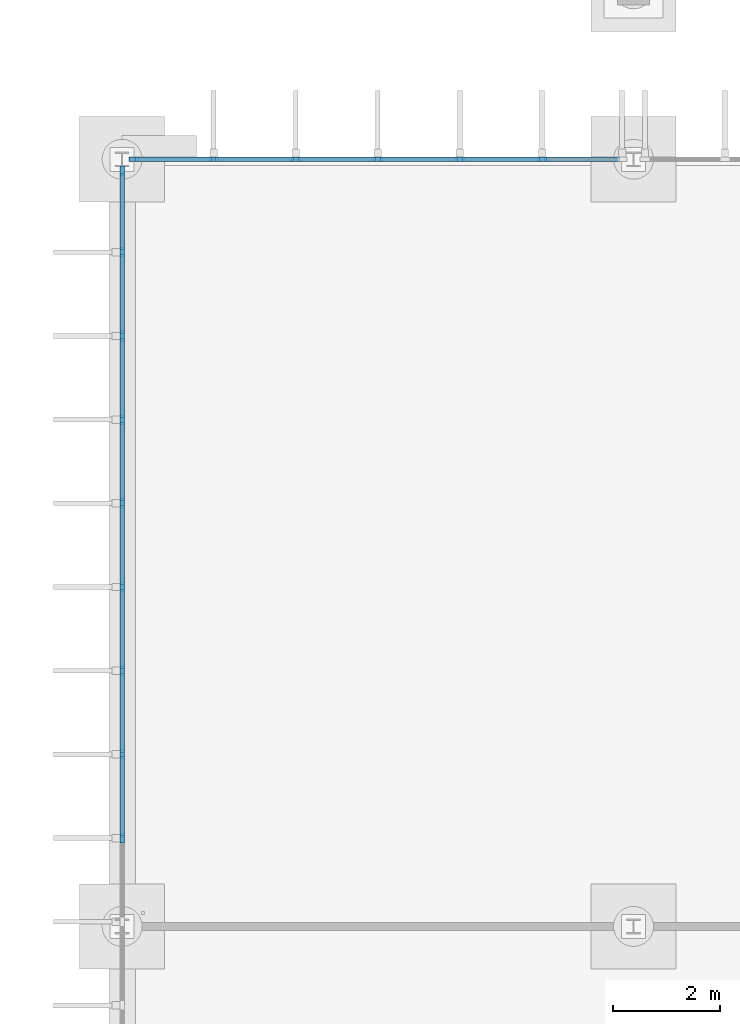
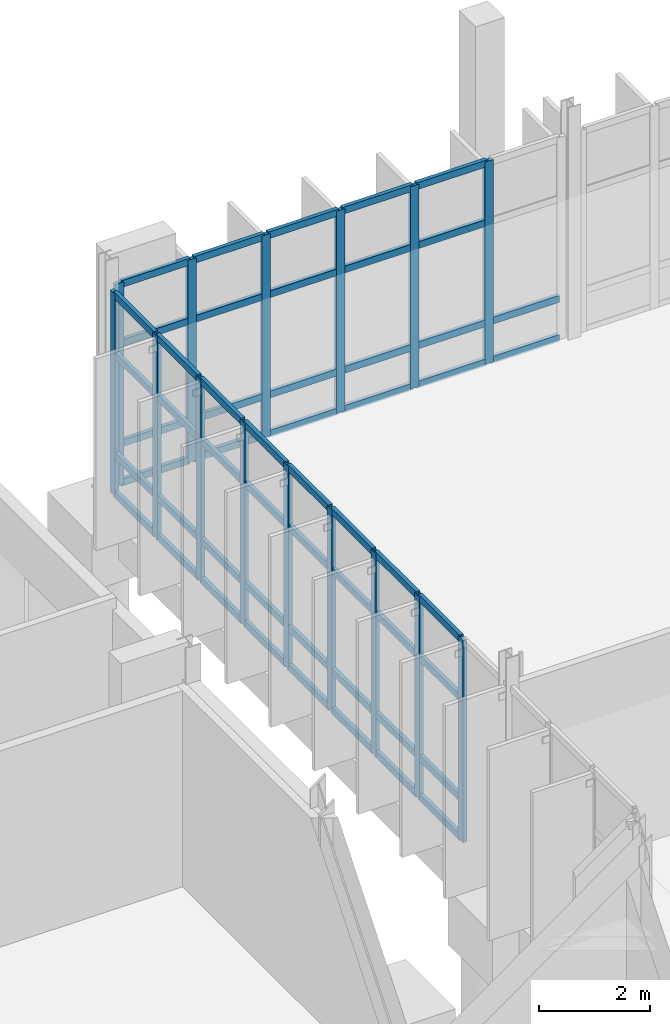
# One storey, part 39 of 111: 69 members, 2 elements without a shape of their own.
"""IFC4 building model written with IfcOpenShell, lengths in metres."""

from ifc_helpers import new_model, si_unit, direction, frame, origin, origin_2d, place, context, subcontext, project, spatial, rectangle, extrude, material, material_profile, profile_set, type_object, element, aggregate, save


model = new_model("IFC4")

# Units and contexts
model_context = context("Model", 3, precision=1e-05, world=origin(), true_north=direction((0.0, 1.0)))
body_context = subcontext(model_context, "Body", "Model", "MODEL_VIEW")
ifc_project = project(units=[si_unit("LENGTHUNIT", "METRE"), si_unit("AREAUNIT", "SQUARE_METRE"), si_unit("VOLUMEUNIT", "CUBIC_METRE"), si_unit("PLANEANGLEUNIT", "RADIAN"), si_unit("MASSUNIT", "GRAM", prefix="KILO")], contexts=[model_context])

# Site, building, storey
site_placement = place(None, origin())
site = spatial("IfcSite", under=ifc_project, at=site_placement, CompositionType="ELEMENT")
building_placement = place(site_placement, origin())
building = spatial("IfcBuilding", under=site, at=building_placement, Name="Dunescarp Central Library", CompositionType="ELEMENT")
storey_placement = place(building_placement, origin())
storey = spatial("IfcBuildingStorey", under=building, at=storey_placement, Name="L00", CompositionType="ELEMENT", Elevation=0.0)

# Curtain wall, members
ifc_material = material(Name="Marine-grade anodised aluminium 6063-T6", Category="aluminium")
curtain_wall_type = type_object("IfcCurtainWallType", Name="ARC-CW-STICK", PredefinedType="NOTDEFINED", material=ifc_material)
curtain_wall_1_placement = place(storey_placement, origin())
curtain_wall_1 = element("IfcCurtainWall", 1, at=curtain_wall_1_placement, inside=storey, type_object=curtain_wall_type, Name="L00 curtain wall CW-V5-149", PredefinedType="NOTDEFINED")
ifc_material_profile_1 = material_profile(ifc_material, rectangle(XDim=0.080078125, YDim=0.179931640625, at=origin_2d()), Name="AL 80x180")
ifc_profile_set_1 = profile_set([ifc_material_profile_1], Name="Marine-grade anodised aluminium 6063-T6")
member_type_1 = type_object("IfcMemberType", Name="ARC-CWM-180", PredefinedType="MULLION", material=ifc_profile_set_1)
member_1_placement = place(storey_placement, frame((129.81494140625, 44.800048828125, 0.0), z_axis=(0.0, 0.0, 1.0), x_axis=(0.0, 1.0, 0.0)))
member_1 = element("IfcMember", 2, at=member_1_placement, type_object=member_type_1, Name="CW-V5-149 mullion 1", PredefinedType="MULLION", context=body_context, shape_type="SweptSolid", body=[
    extrude(rectangle(XDim=0.080078125, YDim=0.179931640625, at=origin_2d()), origin(), (0.0, 0.0, 1.0), 4.44189453125),
])
member_2_placement = place(storey_placement, frame((131.316650390625, 44.800048828125, 0.0), z_axis=(0.0, 0.0, 1.0), x_axis=(0.0, 1.0, 0.0)))
member_2 = element("IfcMember", 3, at=member_2_placement, type_object=member_type_1, Name="CW-V5-149 mullion 2", PredefinedType="MULLION", context=body_context, shape_type="SweptSolid", body=[
    extrude(rectangle(XDim=0.080078125, YDim=0.179931640625, at=origin_2d()), origin(), (0.0, 0.0, 1.0), 4.44189453125),
])
member_3_placement = place(storey_placement, frame((132.8583984375, 44.800048828125, 0.0), z_axis=(0.0, 0.0, 1.0), x_axis=(0.0, 1.0, 0.0)))
member_3 = element("IfcMember", 4, at=member_3_placement, type_object=member_type_1, Name="CW-V5-149 mullion 3", PredefinedType="MULLION", context=body_context, shape_type="SweptSolid", body=[
    extrude(rectangle(XDim=0.080078125, YDim=0.179931640625, at=origin_2d()), origin(), (0.0, 0.0, 1.0), 4.44189453125),
])
member_4_placement = place(storey_placement, frame((134.39990234375, 44.800048828125, 0.0), z_axis=(0.0, 0.0, 1.0), x_axis=(0.0, 1.0, 0.0)))
member_4 = element("IfcMember", 5, at=member_4_placement, type_object=member_type_1, Name="CW-V5-149 mullion 4", PredefinedType="MULLION", context=body_context, shape_type="SweptSolid", body=[
    extrude(rectangle(XDim=0.080078125, YDim=0.179931640625, at=origin_2d()), origin(), (0.0, 0.0, 1.0), 4.44189453125),
])
member_5_placement = place(storey_placement, frame((135.941650390625, 44.800048828125, 0.0), z_axis=(0.0, 0.0, 1.0), x_axis=(0.0, 1.0, 0.0)))
member_5 = element("IfcMember", 6, at=member_5_placement, type_object=member_type_1, Name="CW-V5-149 mullion 5", PredefinedType="MULLION", context=body_context, shape_type="SweptSolid", body=[
    extrude(rectangle(XDim=0.080078125, YDim=0.179931640625, at=origin_2d()), origin(), (0.0, 0.0, 1.0), 4.44189453125),
])
member_6_placement = place(storey_placement, frame((137.4833984375, 44.800048828125, 0.0), z_axis=(0.0, 0.0, 1.0), x_axis=(0.0, 1.0, 0.0)))
member_6 = element("IfcMember", 7, at=member_6_placement, type_object=member_type_1, Name="CW-V5-149 mullion 6", PredefinedType="MULLION", context=body_context, shape_type="SweptSolid", body=[
    extrude(rectangle(XDim=0.080078125, YDim=0.179931640625, at=origin_2d()), origin(), (0.0, 0.0, 1.0), 4.44189453125),
])

curtain_wall_2_placement = place(storey_placement, origin())
curtain_wall_2 = element("IfcCurtainWall", 8, at=curtain_wall_2_placement, inside=storey, type_object=curtain_wall_type, Name="L00 curtain wall CW-V5-152", PredefinedType="NOTDEFINED")
member_7_placement = place(storey_placement, frame((129.60009765625, 32.058349609375, 0.0), z_axis=(0.0, 0.0, 1.0), x_axis=(-1.0, 0.0, 0.0)))
member_7 = element("IfcMember", 9, at=member_7_placement, type_object=member_type_1, Name="CW-V5-152 mullion 5", PredefinedType="MULLION", context=body_context, shape_type="SweptSolid", body=[
    extrude(rectangle(XDim=0.080078125, YDim=0.179931640625, at=origin_2d()), origin(), (0.0, 0.0, 1.0), 4.44189453125),
])
member_8_placement = place(storey_placement, frame((129.60009765625, 33.629150390625, 0.0), z_axis=(0.0, 0.0, 1.0), x_axis=(-1.0, 0.0, 0.0)))
member_8 = element("IfcMember", 10, at=member_8_placement, type_object=member_type_1, Name="CW-V5-152 mullion 6", PredefinedType="MULLION", context=body_context, shape_type="SweptSolid", body=[
    extrude(rectangle(XDim=0.080078125, YDim=0.179931640625, at=origin_2d()), origin(), (0.0, 0.0, 1.0), 4.44189453125),
])
member_9_placement = place(storey_placement, frame((129.60009765625, 35.199951171875, 0.0), z_axis=(0.0, 0.0, 1.0), x_axis=(-1.0, 0.0, 0.0)))
member_9 = element("IfcMember", 11, at=member_9_placement, type_object=member_type_1, Name="CW-V5-152 mullion 7", PredefinedType="MULLION", context=body_context, shape_type="SweptSolid", body=[
    extrude(rectangle(XDim=0.080078125, YDim=0.179931640625, at=origin_2d()), origin(), (0.0, 0.0, 1.0), 4.44189453125),
])
member_10_placement = place(storey_placement, frame((129.60009765625, 36.770751953125, 0.0), z_axis=(0.0, 0.0, 1.0), x_axis=(-1.0, 0.0, 0.0)))
member_10 = element("IfcMember", 12, at=member_10_placement, type_object=member_type_1, Name="CW-V5-152 mullion 8", PredefinedType="MULLION", context=body_context, shape_type="SweptSolid", body=[
    extrude(rectangle(XDim=0.080078125, YDim=0.179931640625, at=origin_2d()), origin(), (0.0, 0.0, 1.0), 4.44189453125),
])
member_11_placement = place(storey_placement, frame((129.60009765625, 38.341552734375, 0.0), z_axis=(0.0, 0.0, 1.0), x_axis=(-1.0, 0.0, 0.0)))
member_11 = element("IfcMember", 13, at=member_11_placement, type_object=member_type_1, Name="CW-V5-152 mullion 9", PredefinedType="MULLION", context=body_context, shape_type="SweptSolid", body=[
    extrude(rectangle(XDim=0.080078125, YDim=0.179931640625, at=origin_2d()), origin(), (0.0, 0.0, 1.0), 4.44189453125),
])
member_12_placement = place(storey_placement, frame((129.60009765625, 39.91259765625, 0.0), z_axis=(0.0, 0.0, 1.0), x_axis=(-1.0, 0.0, 0.0)))
member_12 = element("IfcMember", 14, at=member_12_placement, type_object=member_type_1, Name="CW-V5-152 mullion 10", PredefinedType="MULLION", context=body_context, shape_type="SweptSolid", body=[
    extrude(rectangle(XDim=0.080078125, YDim=0.179931640625, at=origin_2d()), origin(), (0.0, 0.0, 1.0), 4.44189453125),
])
member_13_placement = place(storey_placement, frame((129.60009765625, 41.4833984375, 0.0), z_axis=(0.0, 0.0, 1.0), x_axis=(-1.0, 0.0, 0.0)))
member_13 = element("IfcMember", 15, at=member_13_placement, type_object=member_type_1, Name="CW-V5-152 mullion 11", PredefinedType="MULLION", context=body_context, shape_type="SweptSolid", body=[
    extrude(rectangle(XDim=0.080078125, YDim=0.179931640625, at=origin_2d()), origin(), (0.0, 0.0, 1.0), 4.44189453125),
])
member_14_placement = place(storey_placement, frame((129.60009765625, 43.05419921875, 0.0), z_axis=(0.0, 0.0, 1.0), x_axis=(-1.0, 0.0, 0.0)))
member_14 = element("IfcMember", 16, at=member_14_placement, type_object=member_type_1, Name="CW-V5-152 mullion 12", PredefinedType="MULLION", context=body_context, shape_type="SweptSolid", body=[
    extrude(rectangle(XDim=0.080078125, YDim=0.179931640625, at=origin_2d()), origin(), (0.0, 0.0, 1.0), 4.44189453125),
])
member_15_placement = place(storey_placement, frame((129.60009765625, 44.5849609375, 0.0), z_axis=(0.0, 0.0, 1.0), x_axis=(-1.0, 0.0, 0.0)))
member_15 = element("IfcMember", 17, at=member_15_placement, type_object=member_type_1, Name="CW-V5-152 mullion 13", PredefinedType="MULLION", context=body_context, shape_type="SweptSolid", body=[
    extrude(rectangle(XDim=0.080078125, YDim=0.179931640625, at=origin_2d()), origin(), (0.0, 0.0, 1.0), 4.44189453125),
])

# Member
ifc_material_profile_2 = material_profile(ifc_material, rectangle(XDim=0.080078125, YDim=0.14990234375, at=origin_2d()), Name="AL 80x150")
ifc_profile_set_2 = profile_set([ifc_material_profile_2], Name="Marine-grade anodised aluminium 6063-T6")
member_type_2 = type_object("IfcMemberType", Name="ARC-CWT-150", PredefinedType="USERDEFINED", material=ifc_profile_set_2)
member_16_placement = place(storey_placement, frame((129.85498046875, 44.800048828125, 0.0400390625), z_axis=(1.0, 0.0, 0.0), x_axis=(0.0, 1.0, 0.0)))
member_16 = element("IfcMember", 18, at=member_16_placement, type_object=member_type_2, Name="CW-V5-149 transom 1.1", ObjectType="TRANSOM", PredefinedType="USERDEFINED", context=body_context, shape_type="SweptSolid", body=[
    extrude(rectangle(XDim=0.080078125, YDim=0.14990234375, at=origin_2d()), origin(), (0.0, 0.0, 1.0), 1.421630859375),
])

member_17_placement = place(storey_placement, frame((129.85498046875, 44.800048828125, 0.89990234375), z_axis=(1.0, 0.0, 0.0), x_axis=(0.0, 1.0, 0.0)))
member_17 = element("IfcMember", 19, at=member_17_placement, type_object=member_type_2, Name="CW-V5-149 transom 1.2", ObjectType="TRANSOM", PredefinedType="USERDEFINED", context=body_context, shape_type="SweptSolid", body=[
    extrude(rectangle(XDim=0.080078125, YDim=0.14990234375, at=origin_2d()), origin(), (0.0, 0.0, 1.0), 1.421630859375),
])

member_18_placement = place(storey_placement, frame((129.85498046875, 44.800048828125, 3.10009765625), z_axis=(1.0, 0.0, 0.0), x_axis=(0.0, 1.0, 0.0)))
member_18 = element("IfcMember", 20, at=member_18_placement, type_object=member_type_2, Name="CW-V5-149 transom 1.3", ObjectType="TRANSOM", PredefinedType="USERDEFINED", context=body_context, shape_type="SweptSolid", body=[
    extrude(rectangle(XDim=0.080078125, YDim=0.14990234375, at=origin_2d()), origin(), (0.0, 0.0, 1.0), 1.421630859375),
])

member_19_placement = place(storey_placement, frame((129.85498046875, 44.800048828125, 4.402099609375), z_axis=(1.0, 0.0, 0.0), x_axis=(0.0, 1.0, 0.0)))
member_19 = element("IfcMember", 21, at=member_19_placement, type_object=member_type_2, Name="CW-V5-149 transom 1.4", ObjectType="TRANSOM", PredefinedType="USERDEFINED", context=body_context, shape_type="SweptSolid", body=[
    extrude(rectangle(XDim=0.080078125, YDim=0.14990234375, at=origin_2d()), origin(), (0.0, 0.0, 1.0), 1.421630859375),
])

member_20_placement = place(storey_placement, frame((131.356689453125, 44.800048828125, 0.0400390625), z_axis=(1.0, 0.0, 0.0), x_axis=(0.0, 1.0, 0.0)))
member_20 = element("IfcMember", 22, at=member_20_placement, type_object=member_type_2, Name="CW-V5-149 transom 2.1", ObjectType="TRANSOM", PredefinedType="USERDEFINED", context=body_context, shape_type="SweptSolid", body=[
    extrude(rectangle(XDim=0.080078125, YDim=0.14990234375, at=origin_2d()), origin(), (0.0, 0.0, 1.0), 1.461669921875),
])

member_21_placement = place(storey_placement, frame((131.356689453125, 44.800048828125, 0.89990234375), z_axis=(1.0, 0.0, 0.0), x_axis=(0.0, 1.0, 0.0)))
member_21 = element("IfcMember", 23, at=member_21_placement, type_object=member_type_2, Name="CW-V5-149 transom 2.2", ObjectType="TRANSOM", PredefinedType="USERDEFINED", context=body_context, shape_type="SweptSolid", body=[
    extrude(rectangle(XDim=0.080078125, YDim=0.14990234375, at=origin_2d()), origin(), (0.0, 0.0, 1.0), 1.461669921875),
])

member_22_placement = place(storey_placement, frame((131.356689453125, 44.800048828125, 3.10009765625), z_axis=(1.0, 0.0, 0.0), x_axis=(0.0, 1.0, 0.0)))
member_22 = element("IfcMember", 24, at=member_22_placement, type_object=member_type_2, Name="CW-V5-149 transom 2.3", ObjectType="TRANSOM", PredefinedType="USERDEFINED", context=body_context, shape_type="SweptSolid", body=[
    extrude(rectangle(XDim=0.080078125, YDim=0.14990234375, at=origin_2d()), origin(), (0.0, 0.0, 1.0), 1.461669921875),
])

member_23_placement = place(storey_placement, frame((131.356689453125, 44.800048828125, 4.402099609375), z_axis=(1.0, 0.0, 0.0), x_axis=(0.0, 1.0, 0.0)))
member_23 = element("IfcMember", 25, at=member_23_placement, type_object=member_type_2, Name="CW-V5-149 transom 2.4", ObjectType="TRANSOM", PredefinedType="USERDEFINED", context=body_context, shape_type="SweptSolid", body=[
    extrude(rectangle(XDim=0.080078125, YDim=0.14990234375, at=origin_2d()), origin(), (0.0, 0.0, 1.0), 1.461669921875),
])

member_24_placement = place(storey_placement, frame((132.8984375, 44.800048828125, 0.0400390625), z_axis=(1.0, 0.0, 0.0), x_axis=(0.0, 1.0, 0.0)))
member_24 = element("IfcMember", 26, at=member_24_placement, type_object=member_type_2, Name="CW-V5-149 transom 3.1", ObjectType="TRANSOM", PredefinedType="USERDEFINED", context=body_context, shape_type="SweptSolid", body=[
    extrude(rectangle(XDim=0.080078125, YDim=0.14990234375, at=origin_2d()), origin(), (0.0, 0.0, 1.0), 1.461669921875),
])

member_25_placement = place(storey_placement, frame((132.8984375, 44.800048828125, 0.89990234375), z_axis=(1.0, 0.0, 0.0), x_axis=(0.0, 1.0, 0.0)))
member_25 = element("IfcMember", 27, at=member_25_placement, type_object=member_type_2, Name="CW-V5-149 transom 3.2", ObjectType="TRANSOM", PredefinedType="USERDEFINED", context=body_context, shape_type="SweptSolid", body=[
    extrude(rectangle(XDim=0.080078125, YDim=0.14990234375, at=origin_2d()), origin(), (0.0, 0.0, 1.0), 1.461669921875),
])

member_26_placement = place(storey_placement, frame((132.8984375, 44.800048828125, 3.10009765625), z_axis=(1.0, 0.0, 0.0), x_axis=(0.0, 1.0, 0.0)))
member_26 = element("IfcMember", 28, at=member_26_placement, type_object=member_type_2, Name="CW-V5-149 transom 3.3", ObjectType="TRANSOM", PredefinedType="USERDEFINED", context=body_context, shape_type="SweptSolid", body=[
    extrude(rectangle(XDim=0.080078125, YDim=0.14990234375, at=origin_2d()), origin(), (0.0, 0.0, 1.0), 1.461669921875),
])

member_27_placement = place(storey_placement, frame((132.8984375, 44.800048828125, 4.402099609375), z_axis=(1.0, 0.0, 0.0), x_axis=(0.0, 1.0, 0.0)))
member_27 = element("IfcMember", 29, at=member_27_placement, type_object=member_type_2, Name="CW-V5-149 transom 3.4", ObjectType="TRANSOM", PredefinedType="USERDEFINED", context=body_context, shape_type="SweptSolid", body=[
    extrude(rectangle(XDim=0.080078125, YDim=0.14990234375, at=origin_2d()), origin(), (0.0, 0.0, 1.0), 1.461669921875),
])

member_28_placement = place(storey_placement, frame((134.43994140625, 44.800048828125, 0.0400390625), z_axis=(1.0, 0.0, 0.0), x_axis=(0.0, 1.0, 0.0)))
member_28 = element("IfcMember", 30, at=member_28_placement, type_object=member_type_2, Name="CW-V5-149 transom 4.1", ObjectType="TRANSOM", PredefinedType="USERDEFINED", context=body_context, shape_type="SweptSolid", body=[
    extrude(rectangle(XDim=0.080078125, YDim=0.14990234375, at=origin_2d()), origin(), (0.0, 0.0, 1.0), 1.461669921875),
])

member_29_placement = place(storey_placement, frame((134.43994140625, 44.800048828125, 0.89990234375), z_axis=(1.0, 0.0, 0.0), x_axis=(0.0, 1.0, 0.0)))
member_29 = element("IfcMember", 31, at=member_29_placement, type_object=member_type_2, Name="CW-V5-149 transom 4.2", ObjectType="TRANSOM", PredefinedType="USERDEFINED", context=body_context, shape_type="SweptSolid", body=[
    extrude(rectangle(XDim=0.080078125, YDim=0.14990234375, at=origin_2d()), origin(), (0.0, 0.0, 1.0), 1.461669921875),
])

member_30_placement = place(storey_placement, frame((134.43994140625, 44.800048828125, 3.10009765625), z_axis=(1.0, 0.0, 0.0), x_axis=(0.0, 1.0, 0.0)))
member_30 = element("IfcMember", 32, at=member_30_placement, type_object=member_type_2, Name="CW-V5-149 transom 4.3", ObjectType="TRANSOM", PredefinedType="USERDEFINED", context=body_context, shape_type="SweptSolid", body=[
    extrude(rectangle(XDim=0.080078125, YDim=0.14990234375, at=origin_2d()), origin(), (0.0, 0.0, 1.0), 1.461669921875),
])

member_31_placement = place(storey_placement, frame((134.43994140625, 44.800048828125, 4.402099609375), z_axis=(1.0, 0.0, 0.0), x_axis=(0.0, 1.0, 0.0)))
member_31 = element("IfcMember", 33, at=member_31_placement, type_object=member_type_2, Name="CW-V5-149 transom 4.4", ObjectType="TRANSOM", PredefinedType="USERDEFINED", context=body_context, shape_type="SweptSolid", body=[
    extrude(rectangle(XDim=0.080078125, YDim=0.14990234375, at=origin_2d()), origin(), (0.0, 0.0, 1.0), 1.461669921875),
])

member_32_placement = place(storey_placement, frame((135.981689453125, 44.800048828125, 0.0400390625), z_axis=(1.0, 0.0, 0.0), x_axis=(0.0, 1.0, 0.0)))
member_32 = element("IfcMember", 34, at=member_32_placement, type_object=member_type_2, Name="CW-V5-149 transom 5.1", ObjectType="TRANSOM", PredefinedType="USERDEFINED", context=body_context, shape_type="SweptSolid", body=[
    extrude(rectangle(XDim=0.080078125, YDim=0.14990234375, at=origin_2d()), origin(), (0.0, 0.0, 1.0), 1.461669921875),
])

member_33_placement = place(storey_placement, frame((135.981689453125, 44.800048828125, 0.89990234375), z_axis=(1.0, 0.0, 0.0), x_axis=(0.0, 1.0, 0.0)))
member_33 = element("IfcMember", 35, at=member_33_placement, type_object=member_type_2, Name="CW-V5-149 transom 5.2", ObjectType="TRANSOM", PredefinedType="USERDEFINED", context=body_context, shape_type="SweptSolid", body=[
    extrude(rectangle(XDim=0.080078125, YDim=0.14990234375, at=origin_2d()), origin(), (0.0, 0.0, 1.0), 1.461669921875),
])

member_34_placement = place(storey_placement, frame((135.981689453125, 44.800048828125, 3.10009765625), z_axis=(1.0, 0.0, 0.0), x_axis=(0.0, 1.0, 0.0)))
member_34 = element("IfcMember", 36, at=member_34_placement, type_object=member_type_2, Name="CW-V5-149 transom 5.3", ObjectType="TRANSOM", PredefinedType="USERDEFINED", context=body_context, shape_type="SweptSolid", body=[
    extrude(rectangle(XDim=0.080078125, YDim=0.14990234375, at=origin_2d()), origin(), (0.0, 0.0, 1.0), 1.461669921875),
])

member_35_placement = place(storey_placement, frame((135.981689453125, 44.800048828125, 4.402099609375), z_axis=(1.0, 0.0, 0.0), x_axis=(0.0, 1.0, 0.0)))
member_35 = element("IfcMember", 37, at=member_35_placement, type_object=member_type_2, Name="CW-V5-149 transom 5.4", ObjectType="TRANSOM", PredefinedType="USERDEFINED", context=body_context, shape_type="SweptSolid", body=[
    extrude(rectangle(XDim=0.080078125, YDim=0.14990234375, at=origin_2d()), origin(), (0.0, 0.0, 1.0), 1.461669921875),
])

member_36_placement = place(storey_placement, frame((137.5234375, 44.800048828125, 0.0400390625), z_axis=(1.0, 0.0, 0.0), x_axis=(0.0, 1.0, 0.0)))
member_36 = element("IfcMember", 38, at=member_36_placement, type_object=member_type_2, Name="CW-V5-149 transom 6.1", ObjectType="TRANSOM", PredefinedType="USERDEFINED", context=body_context, shape_type="SweptSolid", body=[
    extrude(rectangle(XDim=0.080078125, YDim=0.14990234375, at=origin_2d()), origin(), (0.0, 0.0, 1.0), 1.421630859375),
])

member_37_placement = place(storey_placement, frame((137.5234375, 44.800048828125, 0.89990234375), z_axis=(1.0, 0.0, 0.0), x_axis=(0.0, 1.0, 0.0)))
member_37 = element("IfcMember", 39, at=member_37_placement, type_object=member_type_2, Name="CW-V5-149 transom 6.2", ObjectType="TRANSOM", PredefinedType="USERDEFINED", context=body_context, shape_type="SweptSolid", body=[
    extrude(rectangle(XDim=0.080078125, YDim=0.14990234375, at=origin_2d()), origin(), (0.0, 0.0, 1.0), 1.421630859375),
])

aggregate(curtain_wall_1, [member_1, member_2, member_3, member_4, member_5, member_6, member_16, member_17, member_18, member_19, member_20, member_21, member_22, member_23, member_24, member_25, member_26, member_27, member_28, member_29, member_30, member_31, member_32, member_33, member_34, member_35, member_36, member_37])

member_38_placement = place(storey_placement, frame((129.60009765625, 32.098388671875, 0.0400390625), z_axis=(0.0, 1.0, 0.0), x_axis=(-1.0, 0.0, 0.0)))
member_38 = element("IfcMember", 40, at=member_38_placement, type_object=member_type_2, Name="CW-V5-152 transom 5.1", ObjectType="TRANSOM", PredefinedType="USERDEFINED", context=body_context, shape_type="SweptSolid", body=[
    extrude(rectangle(XDim=0.080078125, YDim=0.14990234375, at=origin_2d()), origin(), (0.0, 0.0, 1.0), 1.49072265625),
])

member_39_placement = place(storey_placement, frame((129.60009765625, 32.098388671875, 0.89990234375), z_axis=(0.0, 1.0, 0.0), x_axis=(-1.0, 0.0, 0.0)))
member_39 = element("IfcMember", 41, at=member_39_placement, type_object=member_type_2, Name="CW-V5-152 transom 5.2", ObjectType="TRANSOM", PredefinedType="USERDEFINED", context=body_context, shape_type="SweptSolid", body=[
    extrude(rectangle(XDim=0.080078125, YDim=0.14990234375, at=origin_2d()), origin(), (0.0, 0.0, 1.0), 1.49072265625),
])

member_40_placement = place(storey_placement, frame((129.60009765625, 32.098388671875, 3.10009765625), z_axis=(0.0, 1.0, 0.0), x_axis=(-1.0, 0.0, 0.0)))
member_40 = element("IfcMember", 42, at=member_40_placement, type_object=member_type_2, Name="CW-V5-152 transom 5.3", ObjectType="TRANSOM", PredefinedType="USERDEFINED", context=body_context, shape_type="SweptSolid", body=[
    extrude(rectangle(XDim=0.080078125, YDim=0.14990234375, at=origin_2d()), origin(), (0.0, 0.0, 1.0), 1.49072265625),
])

member_41_placement = place(storey_placement, frame((129.60009765625, 32.098388671875, 4.402099609375), z_axis=(0.0, 1.0, 0.0), x_axis=(-1.0, 0.0, 0.0)))
member_41 = element("IfcMember", 43, at=member_41_placement, type_object=member_type_2, Name="CW-V5-152 transom 5.4", ObjectType="TRANSOM", PredefinedType="USERDEFINED", context=body_context, shape_type="SweptSolid", body=[
    extrude(rectangle(XDim=0.080078125, YDim=0.14990234375, at=origin_2d()), origin(), (0.0, 0.0, 1.0), 1.49072265625),
])

member_42_placement = place(storey_placement, frame((129.60009765625, 33.669189453125, 0.0400390625), z_axis=(0.0, 1.0, 0.0), x_axis=(-1.0, 0.0, 0.0)))
member_42 = element("IfcMember", 44, at=member_42_placement, type_object=member_type_2, Name="CW-V5-152 transom 6.1", ObjectType="TRANSOM", PredefinedType="USERDEFINED", context=body_context, shape_type="SweptSolid", body=[
    extrude(rectangle(XDim=0.080078125, YDim=0.14990234375, at=origin_2d()), origin(), (0.0, 0.0, 1.0), 1.49072265625),
])

member_43_placement = place(storey_placement, frame((129.60009765625, 33.669189453125, 0.89990234375), z_axis=(0.0, 1.0, 0.0), x_axis=(-1.0, 0.0, 0.0)))
member_43 = element("IfcMember", 45, at=member_43_placement, type_object=member_type_2, Name="CW-V5-152 transom 6.2", ObjectType="TRANSOM", PredefinedType="USERDEFINED", context=body_context, shape_type="SweptSolid", body=[
    extrude(rectangle(XDim=0.080078125, YDim=0.14990234375, at=origin_2d()), origin(), (0.0, 0.0, 1.0), 1.49072265625),
])

member_44_placement = place(storey_placement, frame((129.60009765625, 33.669189453125, 3.10009765625), z_axis=(0.0, 1.0, 0.0), x_axis=(-1.0, 0.0, 0.0)))
member_44 = element("IfcMember", 46, at=member_44_placement, type_object=member_type_2, Name="CW-V5-152 transom 6.3", ObjectType="TRANSOM", PredefinedType="USERDEFINED", context=body_context, shape_type="SweptSolid", body=[
    extrude(rectangle(XDim=0.080078125, YDim=0.14990234375, at=origin_2d()), origin(), (0.0, 0.0, 1.0), 1.49072265625),
])

member_45_placement = place(storey_placement, frame((129.60009765625, 33.669189453125, 4.402099609375), z_axis=(0.0, 1.0, 0.0), x_axis=(-1.0, 0.0, 0.0)))
member_45 = element("IfcMember", 47, at=member_45_placement, type_object=member_type_2, Name="CW-V5-152 transom 6.4", ObjectType="TRANSOM", PredefinedType="USERDEFINED", context=body_context, shape_type="SweptSolid", body=[
    extrude(rectangle(XDim=0.080078125, YDim=0.14990234375, at=origin_2d()), origin(), (0.0, 0.0, 1.0), 1.49072265625),
])

member_46_placement = place(storey_placement, frame((129.60009765625, 35.239990234375, 0.0400390625), z_axis=(0.0, 1.0, 0.0), x_axis=(-1.0, 0.0, 0.0)))
member_46 = element("IfcMember", 48, at=member_46_placement, type_object=member_type_2, Name="CW-V5-152 transom 7.1", ObjectType="TRANSOM", PredefinedType="USERDEFINED", context=body_context, shape_type="SweptSolid", body=[
    extrude(rectangle(XDim=0.080078125, YDim=0.14990234375, at=origin_2d()), origin(), (0.0, 0.0, 1.0), 1.49072265625),
])

member_47_placement = place(storey_placement, frame((129.60009765625, 35.239990234375, 0.89990234375), z_axis=(0.0, 1.0, 0.0), x_axis=(-1.0, 0.0, 0.0)))
member_47 = element("IfcMember", 49, at=member_47_placement, type_object=member_type_2, Name="CW-V5-152 transom 7.2", ObjectType="TRANSOM", PredefinedType="USERDEFINED", context=body_context, shape_type="SweptSolid", body=[
    extrude(rectangle(XDim=0.080078125, YDim=0.14990234375, at=origin_2d()), origin(), (0.0, 0.0, 1.0), 1.49072265625),
])

member_48_placement = place(storey_placement, frame((129.60009765625, 35.239990234375, 3.10009765625), z_axis=(0.0, 1.0, 0.0), x_axis=(-1.0, 0.0, 0.0)))
member_48 = element("IfcMember", 50, at=member_48_placement, type_object=member_type_2, Name="CW-V5-152 transom 7.3", ObjectType="TRANSOM", PredefinedType="USERDEFINED", context=body_context, shape_type="SweptSolid", body=[
    extrude(rectangle(XDim=0.080078125, YDim=0.14990234375, at=origin_2d()), origin(), (0.0, 0.0, 1.0), 1.49072265625),
])

member_49_placement = place(storey_placement, frame((129.60009765625, 35.239990234375, 4.402099609375), z_axis=(0.0, 1.0, 0.0), x_axis=(-1.0, 0.0, 0.0)))
member_49 = element("IfcMember", 51, at=member_49_placement, type_object=member_type_2, Name="CW-V5-152 transom 7.4", ObjectType="TRANSOM", PredefinedType="USERDEFINED", context=body_context, shape_type="SweptSolid", body=[
    extrude(rectangle(XDim=0.080078125, YDim=0.14990234375, at=origin_2d()), origin(), (0.0, 0.0, 1.0), 1.49072265625),
])

member_50_placement = place(storey_placement, frame((129.60009765625, 36.810791015625, 0.0400390625), z_axis=(0.0, 1.0, 0.0), x_axis=(-1.0, 0.0, 0.0)))
member_50 = element("IfcMember", 52, at=member_50_placement, type_object=member_type_2, Name="CW-V5-152 transom 8.1", ObjectType="TRANSOM", PredefinedType="USERDEFINED", context=body_context, shape_type="SweptSolid", body=[
    extrude(rectangle(XDim=0.080078125, YDim=0.14990234375, at=origin_2d()), origin(), (0.0, 0.0, 1.0), 1.490966796875),
])

member_51_placement = place(storey_placement, frame((129.60009765625, 36.810791015625, 0.89990234375), z_axis=(0.0, 1.0, 0.0), x_axis=(-1.0, 0.0, 0.0)))
member_51 = element("IfcMember", 53, at=member_51_placement, type_object=member_type_2, Name="CW-V5-152 transom 8.2", ObjectType="TRANSOM", PredefinedType="USERDEFINED", context=body_context, shape_type="SweptSolid", body=[
    extrude(rectangle(XDim=0.080078125, YDim=0.14990234375, at=origin_2d()), origin(), (0.0, 0.0, 1.0), 1.490966796875),
])

member_52_placement = place(storey_placement, frame((129.60009765625, 36.810791015625, 3.10009765625), z_axis=(0.0, 1.0, 0.0), x_axis=(-1.0, 0.0, 0.0)))
member_52 = element("IfcMember", 54, at=member_52_placement, type_object=member_type_2, Name="CW-V5-152 transom 8.3", ObjectType="TRANSOM", PredefinedType="USERDEFINED", context=body_context, shape_type="SweptSolid", body=[
    extrude(rectangle(XDim=0.080078125, YDim=0.14990234375, at=origin_2d()), origin(), (0.0, 0.0, 1.0), 1.490966796875),
])

member_53_placement = place(storey_placement, frame((129.60009765625, 36.810791015625, 4.402099609375), z_axis=(0.0, 1.0, 0.0), x_axis=(-1.0, 0.0, 0.0)))
member_53 = element("IfcMember", 55, at=member_53_placement, type_object=member_type_2, Name="CW-V5-152 transom 8.4", ObjectType="TRANSOM", PredefinedType="USERDEFINED", context=body_context, shape_type="SweptSolid", body=[
    extrude(rectangle(XDim=0.080078125, YDim=0.14990234375, at=origin_2d()), origin(), (0.0, 0.0, 1.0), 1.490966796875),
])

member_54_placement = place(storey_placement, frame((129.60009765625, 38.381591796875, 0.0400390625), z_axis=(0.0, 1.0, 0.0), x_axis=(-1.0, 0.0, 0.0)))
member_54 = element("IfcMember", 56, at=member_54_placement, type_object=member_type_2, Name="CW-V5-152 transom 9.1", ObjectType="TRANSOM", PredefinedType="USERDEFINED", context=body_context, shape_type="SweptSolid", body=[
    extrude(rectangle(XDim=0.080078125, YDim=0.14990234375, at=origin_2d()), origin(), (0.0, 0.0, 1.0), 1.490966796875),
])

member_55_placement = place(storey_placement, frame((129.60009765625, 38.381591796875, 0.89990234375), z_axis=(0.0, 1.0, 0.0), x_axis=(-1.0, 0.0, 0.0)))
member_55 = element("IfcMember", 57, at=member_55_placement, type_object=member_type_2, Name="CW-V5-152 transom 9.2", ObjectType="TRANSOM", PredefinedType="USERDEFINED", context=body_context, shape_type="SweptSolid", body=[
    extrude(rectangle(XDim=0.080078125, YDim=0.14990234375, at=origin_2d()), origin(), (0.0, 0.0, 1.0), 1.490966796875),
])

member_56_placement = place(storey_placement, frame((129.60009765625, 38.381591796875, 3.10009765625), z_axis=(0.0, 1.0, 0.0), x_axis=(-1.0, 0.0, 0.0)))
member_56 = element("IfcMember", 58, at=member_56_placement, type_object=member_type_2, Name="CW-V5-152 transom 9.3", ObjectType="TRANSOM", PredefinedType="USERDEFINED", context=body_context, shape_type="SweptSolid", body=[
    extrude(rectangle(XDim=0.080078125, YDim=0.14990234375, at=origin_2d()), origin(), (0.0, 0.0, 1.0), 1.490966796875),
])

member_57_placement = place(storey_placement, frame((129.60009765625, 38.381591796875, 4.402099609375), z_axis=(0.0, 1.0, 0.0), x_axis=(-1.0, 0.0, 0.0)))
member_57 = element("IfcMember", 59, at=member_57_placement, type_object=member_type_2, Name="CW-V5-152 transom 9.4", ObjectType="TRANSOM", PredefinedType="USERDEFINED", context=body_context, shape_type="SweptSolid", body=[
    extrude(rectangle(XDim=0.080078125, YDim=0.14990234375, at=origin_2d()), origin(), (0.0, 0.0, 1.0), 1.490966796875),
])

member_58_placement = place(storey_placement, frame((129.60009765625, 39.952392578125, 0.0400390625), z_axis=(0.0, 1.0, 0.0), x_axis=(-1.0, 0.0, 0.0)))
member_58 = element("IfcMember", 60, at=member_58_placement, type_object=member_type_2, Name="CW-V5-152 transom 10.1", ObjectType="TRANSOM", PredefinedType="USERDEFINED", context=body_context, shape_type="SweptSolid", body=[
    extrude(rectangle(XDim=0.080078125, YDim=0.14990234375, at=origin_2d()), origin(), (0.0, 0.0, 1.0), 1.490966796875),
])

member_59_placement = place(storey_placement, frame((129.60009765625, 39.952392578125, 0.89990234375), z_axis=(0.0, 1.0, 0.0), x_axis=(-1.0, 0.0, 0.0)))
member_59 = element("IfcMember", 61, at=member_59_placement, type_object=member_type_2, Name="CW-V5-152 transom 10.2", ObjectType="TRANSOM", PredefinedType="USERDEFINED", context=body_context, shape_type="SweptSolid", body=[
    extrude(rectangle(XDim=0.080078125, YDim=0.14990234375, at=origin_2d()), origin(), (0.0, 0.0, 1.0), 1.490966796875),
])

member_60_placement = place(storey_placement, frame((129.60009765625, 39.952392578125, 3.10009765625), z_axis=(0.0, 1.0, 0.0), x_axis=(-1.0, 0.0, 0.0)))
member_60 = element("IfcMember", 62, at=member_60_placement, type_object=member_type_2, Name="CW-V5-152 transom 10.3", ObjectType="TRANSOM", PredefinedType="USERDEFINED", context=body_context, shape_type="SweptSolid", body=[
    extrude(rectangle(XDim=0.080078125, YDim=0.14990234375, at=origin_2d()), origin(), (0.0, 0.0, 1.0), 1.490966796875),
])

member_61_placement = place(storey_placement, frame((129.60009765625, 39.952392578125, 4.402099609375), z_axis=(0.0, 1.0, 0.0), x_axis=(-1.0, 0.0, 0.0)))
member_61 = element("IfcMember", 63, at=member_61_placement, type_object=member_type_2, Name="CW-V5-152 transom 10.4", ObjectType="TRANSOM", PredefinedType="USERDEFINED", context=body_context, shape_type="SweptSolid", body=[
    extrude(rectangle(XDim=0.080078125, YDim=0.14990234375, at=origin_2d()), origin(), (0.0, 0.0, 1.0), 1.490966796875),
])

member_62_placement = place(storey_placement, frame((129.60009765625, 41.5234375, 0.0400390625), z_axis=(0.0, 1.0, 0.0), x_axis=(-1.0, 0.0, 0.0)))
member_62 = element("IfcMember", 64, at=member_62_placement, type_object=member_type_2, Name="CW-V5-152 transom 11.1", ObjectType="TRANSOM", PredefinedType="USERDEFINED", context=body_context, shape_type="SweptSolid", body=[
    extrude(rectangle(XDim=0.080078125, YDim=0.14990234375, at=origin_2d()), origin(), (0.0, 0.0, 1.0), 1.49072265625),
])

member_63_placement = place(storey_placement, frame((129.60009765625, 41.5234375, 0.89990234375), z_axis=(0.0, 1.0, 0.0), x_axis=(-1.0, 0.0, 0.0)))
member_63 = element("IfcMember", 65, at=member_63_placement, type_object=member_type_2, Name="CW-V5-152 transom 11.2", ObjectType="TRANSOM", PredefinedType="USERDEFINED", context=body_context, shape_type="SweptSolid", body=[
    extrude(rectangle(XDim=0.080078125, YDim=0.14990234375, at=origin_2d()), origin(), (0.0, 0.0, 1.0), 1.49072265625),
])

member_64_placement = place(storey_placement, frame((129.60009765625, 41.5234375, 3.10009765625), z_axis=(0.0, 1.0, 0.0), x_axis=(-1.0, 0.0, 0.0)))
member_64 = element("IfcMember", 66, at=member_64_placement, type_object=member_type_2, Name="CW-V5-152 transom 11.3", ObjectType="TRANSOM", PredefinedType="USERDEFINED", context=body_context, shape_type="SweptSolid", body=[
    extrude(rectangle(XDim=0.080078125, YDim=0.14990234375, at=origin_2d()), origin(), (0.0, 0.0, 1.0), 1.49072265625),
])

member_65_placement = place(storey_placement, frame((129.60009765625, 41.5234375, 4.402099609375), z_axis=(0.0, 1.0, 0.0), x_axis=(-1.0, 0.0, 0.0)))
member_65 = element("IfcMember", 67, at=member_65_placement, type_object=member_type_2, Name="CW-V5-152 transom 11.4", ObjectType="TRANSOM", PredefinedType="USERDEFINED", context=body_context, shape_type="SweptSolid", body=[
    extrude(rectangle(XDim=0.080078125, YDim=0.14990234375, at=origin_2d()), origin(), (0.0, 0.0, 1.0), 1.49072265625),
])

member_66_placement = place(storey_placement, frame((129.60009765625, 43.09423828125, 0.0400390625), z_axis=(0.0, 1.0, 0.0), x_axis=(-1.0, 0.0, 0.0)))
member_66 = element("IfcMember", 68, at=member_66_placement, type_object=member_type_2, Name="CW-V5-152 transom 12.1", ObjectType="TRANSOM", PredefinedType="USERDEFINED", context=body_context, shape_type="SweptSolid", body=[
    extrude(rectangle(XDim=0.080078125, YDim=0.14990234375, at=origin_2d()), origin(), (0.0, 0.0, 1.0), 1.45068359375),
])

member_67_placement = place(storey_placement, frame((129.60009765625, 43.09423828125, 0.89990234375), z_axis=(0.0, 1.0, 0.0), x_axis=(-1.0, 0.0, 0.0)))
member_67 = element("IfcMember", 69, at=member_67_placement, type_object=member_type_2, Name="CW-V5-152 transom 12.2", ObjectType="TRANSOM", PredefinedType="USERDEFINED", context=body_context, shape_type="SweptSolid", body=[
    extrude(rectangle(XDim=0.080078125, YDim=0.14990234375, at=origin_2d()), origin(), (0.0, 0.0, 1.0), 1.45068359375),
])

member_68_placement = place(storey_placement, frame((129.60009765625, 43.09423828125, 3.10009765625), z_axis=(0.0, 1.0, 0.0), x_axis=(-1.0, 0.0, 0.0)))
member_68 = element("IfcMember", 70, at=member_68_placement, type_object=member_type_2, Name="CW-V5-152 transom 12.3", ObjectType="TRANSOM", PredefinedType="USERDEFINED", context=body_context, shape_type="SweptSolid", body=[
    extrude(rectangle(XDim=0.080078125, YDim=0.14990234375, at=origin_2d()), origin(), (0.0, 0.0, 1.0), 1.45068359375),
])

member_69_placement = place(storey_placement, frame((129.60009765625, 43.09423828125, 4.402099609375), z_axis=(0.0, 1.0, 0.0), x_axis=(-1.0, 0.0, 0.0)))
member_69 = element("IfcMember", 71, at=member_69_placement, type_object=member_type_2, Name="CW-V5-152 transom 12.4", ObjectType="TRANSOM", PredefinedType="USERDEFINED", context=body_context, shape_type="SweptSolid", body=[
    extrude(rectangle(XDim=0.080078125, YDim=0.14990234375, at=origin_2d()), origin(), (0.0, 0.0, 1.0), 1.45068359375),
])

aggregate(curtain_wall_2, [member_7, member_8, member_9, member_10, member_11, member_12, member_13, member_14, member_15, member_38, member_39, member_40, member_41, member_42, member_43, member_44, member_45, member_46, member_47, member_48, member_49, member_50, member_51, member_52, member_53, member_54, member_55, member_56, member_57, member_58, member_59, member_60, member_61, member_62, member_63, member_64, member_65, member_66, member_67, member_68, member_69])

save(model, "model.ifc")
